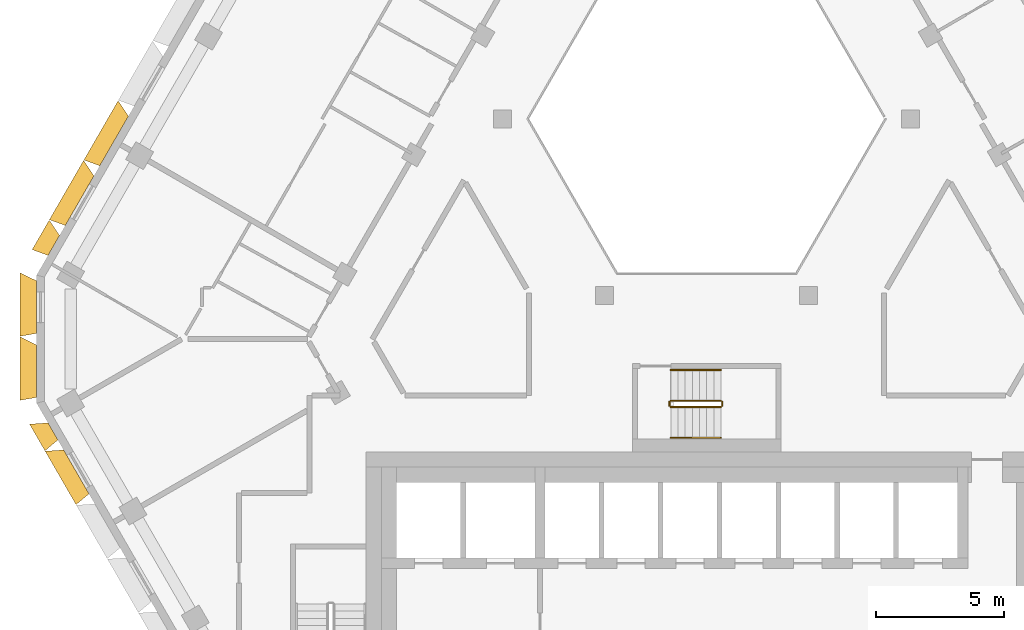
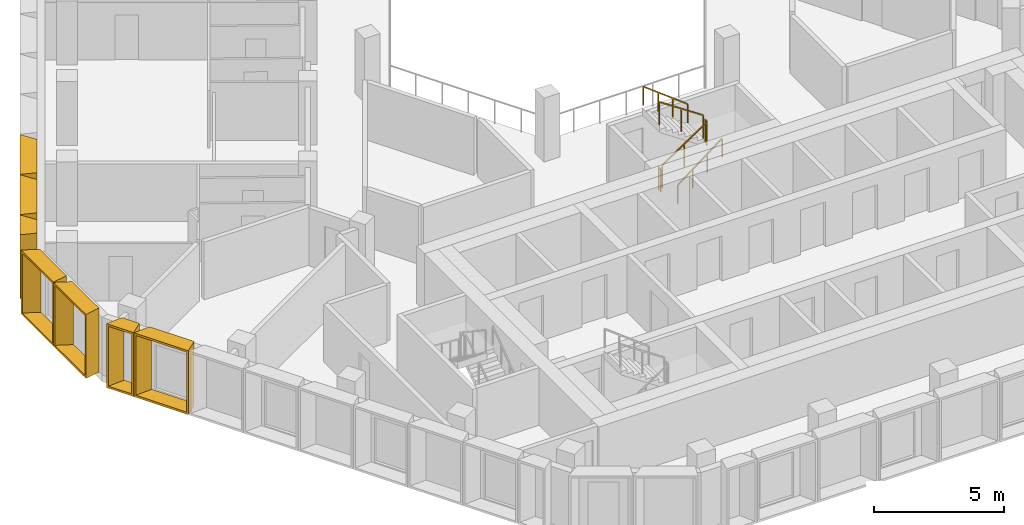
# One storey, part 12 of 15: 7 shading devices, 6 railings.
"""IFC4 building model written with IfcOpenShell, lengths in metres."""

import ifcopenshell
import ifcopenshell.guid

model = None  # the IFC model being written
_history = None  # IfcOwnerHistory: only IFC2X3 demands one
_inside = {}  # id of a spatial element -> (the spatial element, [elements in it])
_under = {}  # id of a project, library or spatial element -> (it, [spatial elements below it])
_declared = {}  # id of a project -> (the project, [libraries it declares])
_typed = {}  # id of a type object -> (the type object, [elements of that type])
_made_of = {}  # id of a material, layer set ... -> (it, [elements and type objects made of it])


def new_model(schema):
    """Start an empty IFC model of exactly this schema.

    Asked for "IFC4X3", IfcOpenShell would pick the latest addendum, in which some entities
    have other attributes; the version numbers below select the first issue.
    IFC2X3 requires an IfcOwnerHistory on every rooted entity: one is made here for all.
    """
    global model, _history
    if schema == "IFC4X3":
        model = ifcopenshell.file(schema_version=(4, 3, 0, 0))
    else:
        model = ifcopenshell.file(schema=schema)
    _inside.clear()
    _under.clear()
    _declared.clear()
    _typed.clear()
    _made_of.clear()
    _history = None
    if model.schema == "IFC2X3":
        org = make("IfcOrganization", Name="unknown")
        user = make(
            "IfcPersonAndOrganization",
            ThePerson=make("IfcPerson", FamilyName="unknown"),
            TheOrganization=org,
        )
        app = make(
            "IfcApplication",
            ApplicationDeveloper=org,
            Version="unknown",
            ApplicationFullName="unknown",
            ApplicationIdentifier="unknown",
        )
        _history = make(
            "IfcOwnerHistory",
            OwningUser=user,
            OwningApplication=app,
            ChangeAction="ADDED",
            CreationDate=0,
        )
    return model


def make(cls, **values):
    """One entity of the class cls with the attributes given. An attribute that is None is left unset."""
    return model.create_entity(
        cls, **{name: value for name, value in values.items() if value is not None}
    )


def entity(cls, *values):
    """Any entity or typed value of the class cls, its attributes in the order of the schema. None: left unset."""
    e = model.create_entity(cls)
    for i, value in enumerate(values):
        if value is not None:
            e[i] = value
    return e


def rooted(cls, **values):
    """An entity with a GlobalId (a new one), such as an element, a storey or a relation."""
    return make(cls, GlobalId=ifcopenshell.guid.new(), OwnerHistory=_history, **values)


def si_unit(unit_type, name, prefix=None):
    """IfcSIUnit, for example si_unit("LENGTHUNIT", "METRE", prefix="MILLI")."""
    return make("IfcSIUnit", UnitType=unit_type, Prefix=prefix, Name=name)


def assignment(units):
    """IfcUnitAssignment: the units of a project."""
    return None if units is None else make("IfcUnitAssignment", Units=units)


def point(xyz):
    """IfcCartesianPoint."""
    return None if xyz is None else make("IfcCartesianPoint", Coordinates=xyz)


def direction(xyz):
    """IfcDirection."""
    return None if xyz is None else make("IfcDirection", DirectionRatios=xyz)


def frame(location, z_axis=None, x_axis=None):
    """IfcAxis2Placement3D, a coordinate frame: its origin and axes. An axis left out is left unset."""
    return make(
        "IfcAxis2Placement3D",
        Location=point(location),
        Axis=direction(z_axis),
        RefDirection=direction(x_axis),
    )


def frame_2d(location, x_axis=None):
    """IfcAxis2Placement2D, a coordinate frame in the plane: its origin and x axis."""
    return make(
        "IfcAxis2Placement2D", Location=point(location), RefDirection=direction(x_axis)
    )


def origin():
    """The frame at (0, 0, 0) with its axes left unset."""
    return frame((0.0, 0.0, 0.0))


def origin_2d():
    """The frame at (0, 0) in the plane with its x axis left unset."""
    return frame_2d((0.0, 0.0))


def place(relative_to, where):
    """IfcLocalPlacement: puts the frame where relative to a parent placement (None: the world)."""
    return make(
        "IfcLocalPlacement", PlacementRelTo=relative_to, RelativePlacement=where
    )


def context(
    kind, dimensions, precision=None, world=None, true_north=None, identifier=None
):
    """IfcGeometricRepresentationContext, for example the 3D "Model" context."""
    return make(
        "IfcGeometricRepresentationContext",
        ContextIdentifier=identifier,
        ContextType=kind,
        CoordinateSpaceDimension=dimensions,
        Precision=precision,
        WorldCoordinateSystem=world,
        TrueNorth=true_north,
    )


def subcontext(parent, identifier, kind, view, scale=None):
    """IfcGeometricRepresentationSubContext, for example "Body" below "Model"."""
    return make(
        "IfcGeometricRepresentationSubContext",
        ContextIdentifier=identifier,
        ContextType=kind,
        ParentContext=parent,
        TargetScale=scale,
        TargetView=view,
    )


def project(units=None, contexts=None):
    """IfcProject with its units and contexts."""
    return rooted(
        "IfcProject",
        Name="project",
        RepresentationContexts=contexts,
        UnitsInContext=assignment(units),
    )


def spatial(cls, under=None, at=None, **own):
    """A site, building, storey or space (cls), placed at a placement, below another one or the project."""
    s = rooted(cls, ObjectPlacement=at, **own)
    if under is not None:
        _under.setdefault(under.id(), (under, []))[1].append(s)
    return s


def profile(cls, at=None, kind="AREA", **sizes):
    """A parametric profile (cls). Its sizes go by their IFC names, for example OverallWidth=200.0."""
    return make(cls, ProfileType=kind, Position=at, **sizes)


def rectangle(**sizes):
    """IfcRectangleProfileDef."""
    return profile("IfcRectangleProfileDef", **sizes)


def extrude(swept, where, along, depth):
    """IfcExtrudedAreaSolid: the profile swept, set in the frame where, extruded along a direction by depth."""
    return make(
        "IfcExtrudedAreaSolid",
        SweptArea=swept,
        Position=where,
        ExtrudedDirection=direction(along),
        Depth=depth,
    )


def shape(context_of_items, identifier, shape_type, items):
    """IfcShapeRepresentation: the items that make up one representation, for example the "Body"."""
    return make(
        "IfcShapeRepresentation",
        ContextOfItems=context_of_items,
        RepresentationIdentifier=identifier,
        RepresentationType=shape_type,
        Items=items,
    )


def source(mapping_origin, context_of_items, identifier, shape_type, items):
    """IfcRepresentationMap: a shape defined once, which mapped items show again and again."""
    return make(
        "IfcRepresentationMap",
        MappingOrigin=mapping_origin,
        MappedRepresentation=shape(context_of_items, identifier, shape_type, items),
    )


def transform(
    local_origin,
    x_axis=None,
    y_axis=None,
    z_axis=None,
    scale=None,
    scale2=None,
    scale3=None,
    uniform=True,
):
    """IfcCartesianTransformationOperator3D, or its non-uniform kind. x_axis, y_axis, z_axis: its Axis1, 2, 3."""
    if uniform:
        return make(
            "IfcCartesianTransformationOperator3D",
            Axis1=direction(x_axis),
            Axis2=direction(y_axis),
            LocalOrigin=point(local_origin),
            Scale=scale,
            Axis3=direction(z_axis),
        )
    return make(
        "IfcCartesianTransformationOperator3DnonUniform",
        Axis1=direction(x_axis),
        Axis2=direction(y_axis),
        LocalOrigin=point(local_origin),
        Scale=scale,
        Axis3=direction(z_axis),
        Scale2=scale2,
        Scale3=scale3,
    )


def mapped(mapping_source, mapping_target):
    """IfcMappedItem: shows the shape of a source again, moved by a transform."""
    return make(
        "IfcMappedItem", MappingSource=mapping_source, MappingTarget=mapping_target
    )


def material(Name=None, Category=None):
    """IfcMaterial."""
    return make("IfcMaterial", Name=Name, Category=Category)


def made_of(thing, what):
    """Note that an element or type object is made of a material, layer set ...; save() writes the relation."""
    if what is not None:
        _made_of.setdefault(what.id(), (what, []))[1].append(thing)
    return thing


def type_object(cls, material=None, **own):
    """A type object (cls), such as IfcWallType, which elements share."""
    return made_of(rooted(cls, **own), material)


def type_shapes(of_type, sources):
    """Give a type object the sources (RepresentationMaps) that its elements show as mapped items."""
    of_type.RepresentationMaps = sources


def element(
    cls,
    number,
    at=None,
    inside=None,
    cuts=None,
    type_object=None,
    material=None,
    context=None,
    identifier="Body",
    shape_type=None,
    held_by="IfcProductDefinitionShape",
    body=None,
    shapes=None,
    **own,
):
    """One element of the class cls, such as IfcWall. Its Tag is "e" and its number.

    at: its placement. inside: the storey or other place that contains it. cuts: it is an
    opening in that element (IfcRelVoidsElement). A single representation is given by context,
    identifier, shape_type and body (its items); several are given by shapes. held_by: the class
    of the entity that holds the representations. save() writes the other relations.
    """
    e = rooted(cls, Tag="e%d" % number, ObjectPlacement=at, **own)
    if body is not None:
        shapes = [shape(context, identifier, shape_type, body)]
    if shapes is not None:
        e.Representation = make(held_by, Representations=shapes)
    if inside is not None:
        _inside.setdefault(inside.id(), (inside, []))[1].append(e)
    if cuts is not None:
        rooted(
            "IfcRelVoidsElement", RelatingBuildingElement=cuts, RelatedOpeningElement=e
        )
    if type_object is not None:
        _typed.setdefault(type_object.id(), (type_object, []))[1].append(e)
    return made_of(e, material)


def aggregate(whole, parts):
    """IfcRelAggregates: a whole, such as a stair, and the parts it consists of."""
    return rooted("IfcRelAggregates", RelatingObject=whole, RelatedObjects=parts)


def save(model, path):
    """Write the relations noted so far, then the file.

    IfcRelAggregates (storeys below a building ...), IfcRelContainedInSpatialStructure (elements
    in a storey), IfcRelDefinesByType, IfcRelAssociatesMaterial and IfcRelDeclares: one each for
    every whole, place, type object, material and project.
    """
    for whole, parts in _under.values():
        aggregate(whole, parts)
    for where, things in _inside.values():
        rooted(
            "IfcRelContainedInSpatialStructure",
            RelatedElements=things,
            RelatingStructure=where,
        )
    for kind, things in _typed.values():
        rooted("IfcRelDefinesByType", RelatedObjects=things, RelatingType=kind)
    for what, things in _made_of.values():
        rooted("IfcRelAssociatesMaterial", RelatedObjects=things, RelatingMaterial=what)
    for by, libraries in _declared.values():
        rooted("IfcRelDeclares", RelatingContext=by, RelatedDefinitions=libraries)
    model.write(path)


model = new_model("IFC4")

# Units and contexts
model_context = context("Model", 3, precision=1e-05, world=origin(), true_north=direction((0.0, 1.0)))
body_context = subcontext(model_context, "Body", "Model", "MODEL_VIEW")
ifc_project = project(units=[si_unit("LENGTHUNIT", "METRE"), si_unit("AREAUNIT", "SQUARE_METRE"), si_unit("VOLUMEUNIT", "CUBIC_METRE"), si_unit("PLANEANGLEUNIT", "RADIAN"), si_unit("MASSUNIT", "GRAM", prefix="KILO")], contexts=[model_context])

# Site, building, storey
site_placement = place(None, origin())
site = spatial("IfcSite", under=ifc_project, at=site_placement, CompositionType="ELEMENT")
building_placement = place(site_placement, origin())
building = spatial("IfcBuilding", under=site, at=building_placement, Name="Beryl Residences", CompositionType="ELEMENT")
storey_placement = place(building_placement, frame((0.0, 0.0, 187.199951171875)))
storey = spatial("IfcBuildingStorey", under=building, at=storey_placement, Name="L57", CompositionType="ELEMENT", Elevation=187.199951171875)

# Shading devices
ifc_material_1 = material(Name="Aluminium pale anodised", Category="aluminium")
shading_device_type_1 = type_object("IfcShadingDeviceType", Name="FR122-65B OUTER SKIN frame 650 mm deep, splay 26/10 deg, 1220 x 3000 mm cell", PredefinedType="USERDEFINED", material=ifc_material_1)
cartesian_point_1 = entity("IfcCartesianPoint", [-0.384033203125, 0.0])
cartesian_point_2 = entity("IfcCartesianPoint", [-0.294921875, 0.10009765625])
cartesian_point_3 = entity("IfcCartesianPoint", [-0.700927734375, 0.0])
cartesian_point_4 = entity("IfcCartesianPoint", [-0.612060546875, 0.10009765625])
shared_shape_1 = source(origin(), body_context, "Body", "SweptSolid", [
    entity("IfcExtrudedAreaSolidTapered", entity("IfcArbitraryProfileDefWithVoids", "AREA", None, entity("IfcPolyline", [cartesian_point_1, entity("IfcCartesianPoint", [0.384033203125, 0.0]), entity("IfcCartesianPoint", [0.384033203125, 3.0]), entity("IfcCartesianPoint", [-0.384033203125, 3.0]), cartesian_point_1]), [entity("IfcPolyline", [cartesian_point_2, entity("IfcCartesianPoint", [0.302734375, 0.10009765625]), entity("IfcCartesianPoint", [0.302734375, 2.89990234375]), entity("IfcCartesianPoint", [-0.294921875, 2.89990234375]), cartesian_point_2])]), entity("IfcAxis2Placement3D", entity("IfcCartesianPoint", [0.0, 0.0, 0.0]), entity("IfcDirection", [0.0, 1.0, 0.0]), entity("IfcDirection", [-1.0, 0.0, 0.0])), entity("IfcDirection", [0.0, 0.0, 1.0]), 0.64990234375, entity("IfcArbitraryProfileDefWithVoids", "AREA", None, entity("IfcPolyline", [cartesian_point_3, entity("IfcCartesianPoint", [0.49853515625, 0.0]), entity("IfcCartesianPoint", [0.49853515625, 3.0]), entity("IfcCartesianPoint", [-0.700927734375, 3.0]), cartesian_point_3]), [entity("IfcPolyline", [cartesian_point_4, entity("IfcCartesianPoint", [0.41748046875, 0.10009765625]), entity("IfcCartesianPoint", [0.41748046875, 2.89990234375]), entity("IfcCartesianPoint", [-0.612060546875, 2.89990234375]), cartesian_point_4])])),
])
type_shapes(shading_device_type_1, [shared_shape_1])
shading_device_1_placement = place(storey_placement, frame((-25.51708984375, -4.200927734375, 0.0), z_axis=(0.0, 0.0, 1.0), x_axis=(-0.5, 0.866025403784, 0.0)))
element("IfcShadingDevice", 1, at=shading_device_1_placement, inside=storey, type_object=shading_device_type_1, Name="FR122-65B frame L57 SW 1", ObjectType="OUTER SKIN", PredefinedType="USERDEFINED", context=body_context, shape_type="MappedRepresentation", body=[
    mapped(shared_shape_1, transform((0.0, 0.0, 0.0))),
])
ifc_material_2 = material(Name="Aluminium pale anodised", Category="aluminium")
shading_device_type_2 = type_object("IfcShadingDeviceType", Name="FR135-65B OUTER SKIN frame 650 mm deep, splay 26/10 deg, 1350 x 3000 mm cell", PredefinedType="USERDEFINED", material=ifc_material_2)
cartesian_point_5 = entity("IfcCartesianPoint", [-0.448974609375, 0.0])
cartesian_point_6 = entity("IfcCartesianPoint", [-0.360107421875, 0.10009765625])
cartesian_point_7 = entity("IfcCartesianPoint", [-0.76611328125, 0.0])
cartesian_point_8 = entity("IfcCartesianPoint", [-0.677001953125, 0.10009765625])
shared_shape_2 = source(origin(), body_context, "Body", "SweptSolid", [
    entity("IfcExtrudedAreaSolidTapered", entity("IfcArbitraryProfileDefWithVoids", "AREA", None, entity("IfcPolyline", [cartesian_point_5, entity("IfcCartesianPoint", [0.448974609375, 0.0]), entity("IfcCartesianPoint", [0.448974609375, 3.0]), entity("IfcCartesianPoint", [-0.448974609375, 3.0]), cartesian_point_5]), [entity("IfcPolyline", [cartesian_point_6, entity("IfcCartesianPoint", [0.36767578125, 0.10009765625]), entity("IfcCartesianPoint", [0.36767578125, 2.89990234375]), entity("IfcCartesianPoint", [-0.360107421875, 2.89990234375]), cartesian_point_6])]), entity("IfcAxis2Placement3D", entity("IfcCartesianPoint", [0.0, 0.0, 0.0]), entity("IfcDirection", [0.0, 1.0, 0.0]), entity("IfcDirection", [-1.0, 0.0, 0.0])), entity("IfcDirection", [0.0, 0.0, 1.0]), 0.64990234375, entity("IfcArbitraryProfileDefWithVoids", "AREA", None, entity("IfcPolyline", [cartesian_point_7, entity("IfcCartesianPoint", [0.563720703125, 0.0]), entity("IfcCartesianPoint", [0.563720703125, 3.0]), entity("IfcCartesianPoint", [-0.76611328125, 3.0]), cartesian_point_7]), [entity("IfcPolyline", [cartesian_point_8, entity("IfcCartesianPoint", [0.482421875, 0.10009765625]), entity("IfcCartesianPoint", [0.482421875, 2.89990234375]), entity("IfcCartesianPoint", [-0.677001953125, 2.89990234375]), cartesian_point_8])])),
])
type_shapes(shading_device_type_2, [shared_shape_2])
shading_device_2_placement = place(storey_placement, frame((-25.485107421875, 3.056884765625, 0.0), z_axis=(0.0, 0.0, 1.0), x_axis=(0.5, 0.866025403784, 0.0)))
element("IfcShadingDevice", 2, at=shading_device_2_placement, inside=storey, type_object=shading_device_type_2, Name="FR135-65B frame L57 NW 9", ObjectType="OUTER SKIN", PredefinedType="USERDEFINED", context=body_context, shape_type="MappedRepresentation", body=[
    mapped(shared_shape_2, transform((0.0, 0.0, 0.0))),
])
ifc_material_3 = material(Name="Aluminium pale anodised", Category="aluminium")
shading_device_type_3 = type_object("IfcShadingDeviceType", Name="FR243-65B OUTER SKIN frame 650 mm deep, splay 26/10 deg, 2430 x 3000 mm cell", PredefinedType="USERDEFINED", material=ifc_material_3)
cartesian_point_9 = entity("IfcCartesianPoint", [-0.989013671875, 0.0])
cartesian_point_10 = entity("IfcCartesianPoint", [-0.89990234375, 0.10009765625])
cartesian_point_11 = entity("IfcCartesianPoint", [-1.305908203125, 0.0])
cartesian_point_12 = entity("IfcCartesianPoint", [-1.217041015625, 0.10009765625])
shared_shape_3 = source(origin(), body_context, "Body", "SweptSolid", [
    entity("IfcExtrudedAreaSolidTapered", entity("IfcArbitraryProfileDefWithVoids", "AREA", None, entity("IfcPolyline", [cartesian_point_9, entity("IfcCartesianPoint", [0.989013671875, 0.0]), entity("IfcCartesianPoint", [0.989013671875, 3.0]), entity("IfcCartesianPoint", [-0.989013671875, 3.0]), cartesian_point_9]), [entity("IfcPolyline", [cartesian_point_10, entity("IfcCartesianPoint", [0.90771484375, 0.10009765625]), entity("IfcCartesianPoint", [0.90771484375, 2.89990234375]), entity("IfcCartesianPoint", [-0.89990234375, 2.89990234375]), cartesian_point_10])]), entity("IfcAxis2Placement3D", entity("IfcCartesianPoint", [0.0, 0.0, 0.0]), entity("IfcDirection", [0.0, 1.0, 0.0]), entity("IfcDirection", [-1.0, 0.0, 0.0])), entity("IfcDirection", [0.0, 0.0, 1.0]), 0.64990234375, entity("IfcArbitraryProfileDefWithVoids", "AREA", None, entity("IfcPolyline", [cartesian_point_11, entity("IfcCartesianPoint", [1.103515625, 0.0]), entity("IfcCartesianPoint", [1.103515625, 3.0]), entity("IfcCartesianPoint", [-1.305908203125, 3.0]), cartesian_point_11]), [entity("IfcPolyline", [cartesian_point_12, entity("IfcCartesianPoint", [1.0224609375, 0.10009765625]), entity("IfcCartesianPoint", [1.0224609375, 2.89990234375]), entity("IfcCartesianPoint", [-1.217041015625, 2.89990234375]), cartesian_point_12])])),
])
type_shapes(shading_device_type_3, [shared_shape_3])
shading_device_3_placement = place(storey_placement, frame((-24.60498046875, -5.781005859375, 0.0), z_axis=(0.0, 0.0, 1.0), x_axis=(-0.5, 0.866025403784, 0.0)))
element("IfcShadingDevice", 3, at=shading_device_3_placement, inside=storey, type_object=shading_device_type_3, Name="FR243-65B frame L57 SW 2", ObjectType="OUTER SKIN", PredefinedType="USERDEFINED", context=body_context, shape_type="MappedRepresentation", body=[
    mapped(shared_shape_3, transform((0.0, 0.0, 0.0))),
])
ifc_material_4 = material(Name="Aluminium pale anodised", Category="aluminium")
shading_device_type_4 = type_object("IfcShadingDeviceType", Name="FR250-65B OUTER SKIN frame 650 mm deep, splay 26/10 deg, 2500 x 3000 mm cell", PredefinedType="USERDEFINED", material=ifc_material_4)
cartesian_point_13 = entity("IfcCartesianPoint", [-1.02392578125, 0.0])
cartesian_point_14 = entity("IfcCartesianPoint", [-0.93505859375, 0.10009765625])
cartesian_point_15 = entity("IfcCartesianPoint", [-1.341064453125, 0.0])
cartesian_point_16 = entity("IfcCartesianPoint", [-1.251953125, 0.10009765625])
shared_shape_4 = source(origin(), body_context, "Body", "SweptSolid", [
    entity("IfcExtrudedAreaSolidTapered", entity("IfcArbitraryProfileDefWithVoids", "AREA", None, entity("IfcPolyline", [cartesian_point_13, entity("IfcCartesianPoint", [1.02392578125, 0.0]), entity("IfcCartesianPoint", [1.02392578125, 3.0]), entity("IfcCartesianPoint", [-1.02392578125, 3.0]), cartesian_point_13]), [entity("IfcPolyline", [cartesian_point_14, entity("IfcCartesianPoint", [0.94287109375, 0.10009765625]), entity("IfcCartesianPoint", [0.94287109375, 2.89990234375]), entity("IfcCartesianPoint", [-0.93505859375, 2.89990234375]), cartesian_point_14])]), entity("IfcAxis2Placement3D", entity("IfcCartesianPoint", [0.0, 0.0, 0.0]), entity("IfcDirection", [0.0, 1.0, 0.0]), entity("IfcDirection", [-1.0, 0.0, 0.0])), entity("IfcDirection", [0.0, 0.0, 1.0]), 0.64990234375, entity("IfcArbitraryProfileDefWithVoids", "AREA", None, entity("IfcPolyline", [cartesian_point_15, entity("IfcCartesianPoint", [1.138671875, 0.0]), entity("IfcCartesianPoint", [1.138671875, 3.0]), entity("IfcCartesianPoint", [-1.341064453125, 3.0]), cartesian_point_15]), [entity("IfcPolyline", [cartesian_point_16, entity("IfcCartesianPoint", [1.057373046875, 0.10009765625]), entity("IfcCartesianPoint", [1.057373046875, 2.89990234375]), entity("IfcCartesianPoint", [-1.251953125, 2.89990234375]), cartesian_point_16])])),
])
type_shapes(shading_device_type_4, [shared_shape_4])
for number, where, z_axis, x_axis, name in (
    (4, (-26.154052734375, 0.64990234375, 0.0), (0.0, 0.0, 1.0), (0.0, 1.0, 0.0), "FR250-65B frame L57 NW-SW 1"),
    (5, (-26.154052734375, -1.85009765625, 0.0), (0.0, 0.0, 1.0), (0.0, 1.0, 0.0), "FR250-65B frame L57 NW-SW 2"),
):
    element("IfcShadingDevice", number, at=place(storey_placement, frame(where, z_axis=z_axis, x_axis=x_axis)), inside=storey, type_object=shading_device_type_4, Name=name, ObjectType="OUTER SKIN", PredefinedType="USERDEFINED", context=body_context, shape_type="MappedRepresentation", body=[
        mapped(shared_shape_4, transform((0.0, 0.0, 0.0))),
    ])
ifc_material_5 = material(Name="Aluminium pale anodised", Category="aluminium")
shading_device_type_5 = type_object("IfcShadingDeviceType", Name="FR269-65B OUTER SKIN frame 650 mm deep, splay 26/10 deg, 2690 x 3000 mm cell", PredefinedType="USERDEFINED", material=ifc_material_5)
cartesian_point_17 = entity("IfcCartesianPoint", [-1.118896484375, 0.0])
cartesian_point_18 = entity("IfcCartesianPoint", [-1.030029296875, 0.10009765625])
cartesian_point_19 = entity("IfcCartesianPoint", [-1.43603515625, 0.0])
cartesian_point_20 = entity("IfcCartesianPoint", [-1.346923828125, 0.10009765625])
shared_shape_5 = source(origin(), body_context, "Body", "SweptSolid", [
    entity("IfcExtrudedAreaSolidTapered", entity("IfcArbitraryProfileDefWithVoids", "AREA", None, entity("IfcPolyline", [cartesian_point_17, entity("IfcCartesianPoint", [1.118896484375, 0.0]), entity("IfcCartesianPoint", [1.118896484375, 3.0]), entity("IfcCartesianPoint", [-1.118896484375, 3.0]), cartesian_point_17]), [entity("IfcPolyline", [cartesian_point_18, entity("IfcCartesianPoint", [1.037841796875, 0.10009765625]), entity("IfcCartesianPoint", [1.037841796875, 2.89990234375]), entity("IfcCartesianPoint", [-1.030029296875, 2.89990234375]), cartesian_point_18])]), entity("IfcAxis2Placement3D", entity("IfcCartesianPoint", [0.0, 0.0, 0.0]), entity("IfcDirection", [0.0, 1.0, 0.0]), entity("IfcDirection", [-1.0, 0.0, 0.0])), entity("IfcDirection", [0.0, 0.0, 1.0]), 0.64990234375, entity("IfcArbitraryProfileDefWithVoids", "AREA", None, entity("IfcPolyline", [cartesian_point_19, entity("IfcCartesianPoint", [1.233642578125, 0.0]), entity("IfcCartesianPoint", [1.233642578125, 3.0]), entity("IfcCartesianPoint", [-1.43603515625, 3.0]), cartesian_point_19]), [entity("IfcPolyline", [cartesian_point_20, entity("IfcCartesianPoint", [1.15234375, 0.10009765625]), entity("IfcCartesianPoint", [1.15234375, 2.89990234375]), entity("IfcCartesianPoint", [-1.346923828125, 2.89990234375]), cartesian_point_20])])),
])
type_shapes(shading_device_type_5, [shared_shape_5])
for number, where, z_axis, x_axis, name in (
    (6, (-23.1298828125, 7.136962890625, 0.0), (0.0, 0.0, 1.0), (0.5, 0.866025403784, 0.0), "FR269-65B frame L57 NW 7"),
    (7, (-24.47607421875, 4.805908203125, 0.0), (0.0, 0.0, 1.0), (0.5, 0.866025403784, 0.0), "FR269-65B frame L57 NW 8"),
):
    element("IfcShadingDevice", number, at=place(storey_placement, frame(where, z_axis=z_axis, x_axis=x_axis)), inside=storey, type_object=shading_device_type_5, Name=name, ObjectType="OUTER SKIN", PredefinedType="USERDEFINED", context=body_context, shape_type="MappedRepresentation", body=[
        mapped(shared_shape_5, transform((0.0, 0.0, 0.0))),
    ])

# Railings
ifc_material_6 = material(Name="Stainless steel balustrade with glass infill", Category="steel")
railing_type_1 = type_object("IfcRailingType", Name="SG1 stair guard 1100 mm", PredefinedType="GUARDRAIL", material=ifc_material_6)
railing_1_placement = place(storey_placement, frame((-1.39990234375, -3.25, 0.1875)))
element("IfcRailing", 8, at=railing_1_placement, inside=storey, type_object=railing_type_1, Name="L57 ST-4 stair guard 1", PredefinedType="GUARDRAIL", context=body_context, shape_type="SweptSolid", body=[
    extrude(rectangle(XDim=0.048095703125, YDim=0.048095703125, at=origin_2d()), frame((0.0, 0.0, 1.076171875), z_axis=(0.830902050051, 0.0, 0.556418712142), x_axis=(0.0, 1.0, 0.0)), (0.0, 0.0, 1.0), 2.35888671875),
    extrude(rectangle(XDim=0.0419921875, YDim=0.0419921875, at=origin_2d()), origin(), (0.0, 0.0, 1.0), 1.052001953125),
    extrude(rectangle(XDim=0.0419921875, YDim=0.0419921875, at=origin_2d()), frame((0.97998046875, 0.0, 0.65625)), (0.0, 0.0, 1.0), 1.052001953125),
    extrude(rectangle(XDim=0.0419921875, YDim=0.0419921875, at=origin_2d()), frame((1.9599609375, 0.0, 1.3125)), (0.0, 0.0, 1.0), 1.052001953125),
])
railing_2_placement = place(storey_placement, frame((0.610107421875, -3.199951171875, 1.5)))
element("IfcRailing", 9, at=railing_2_placement, inside=storey, type_object=railing_type_1, Name="L57 ST-4 stair guard 2", PredefinedType="GUARDRAIL", context=body_context, shape_type="SweptSolid", body=[
    extrude(rectangle(XDim=0.048095703125, YDim=0.048095703125, at=origin_2d()), frame((0.0, 0.0, 1.076171875), z_axis=(0.0, 1.0, 0.0), x_axis=(-1.0, 0.0, 0.0)), (0.0, 0.0, 1.0), 0.14990234375),
    extrude(rectangle(XDim=0.0419921875, YDim=0.0419921875, at=origin_2d()), origin(), (0.0, 0.0, 1.0), 1.052001953125),
    extrude(rectangle(XDim=0.0419921875, YDim=0.0419921875, at=origin_2d()), frame((0.0, 0.14990234375, 0.0)), (0.0, 0.0, 1.0), 1.052001953125),
])
railing_3_placement = place(storey_placement, frame((0.56005859375, -3.0, 1.6875)))
element("IfcRailing", 10, at=railing_3_placement, inside=storey, type_object=railing_type_1, Name="L57 ST-4 stair guard 3", PredefinedType="GUARDRAIL", context=body_context, shape_type="SweptSolid", body=[
    extrude(rectangle(XDim=0.048095703125, YDim=0.048095703125, at=origin_2d()), frame((0.0, 0.0, 1.076171875), z_axis=(-0.830902050051, 0.0, 0.556418712142), x_axis=(0.0, -1.0, 0.0)), (0.0, 0.0, 1.0), 2.35888671875),
    extrude(rectangle(XDim=0.0419921875, YDim=0.0419921875, at=origin_2d()), origin(), (0.0, 0.0, 1.0), 1.052001953125),
    extrude(rectangle(XDim=0.0419921875, YDim=0.0419921875, at=origin_2d()), frame((-0.97998046875, 0.0, 0.65625)), (0.0, 0.0, 1.0), 1.052001953125),
    extrude(rectangle(XDim=0.0419921875, YDim=0.0419921875, at=origin_2d()), frame((-1.9599609375, 0.0, 1.3125)), (0.0, 0.0, 1.0), 1.052001953125),
])
railing_4_placement = place(storey_placement, frame((-1.449951171875, -3.199951171875, 0.0)))
element("IfcRailing", 11, at=railing_4_placement, inside=storey, type_object=railing_type_1, Name="L57 ST-4 stair guard 4", PredefinedType="GUARDRAIL", context=body_context, shape_type="SweptSolid", body=[
    extrude(rectangle(XDim=0.048095703125, YDim=0.048095703125, at=origin_2d()), frame((0.0, 0.0, 1.076171875), z_axis=(0.0, 1.0, 0.0), x_axis=(-1.0, 0.0, 0.0)), (0.0, 0.0, 1.0), 0.14990234375),
    extrude(rectangle(XDim=0.0419921875, YDim=0.0419921875, at=origin_2d()), origin(), (0.0, 0.0, 1.0), 1.052001953125),
    extrude(rectangle(XDim=0.0419921875, YDim=0.0419921875, at=origin_2d()), frame((0.0, 0.14990234375, 0.0)), (0.0, 0.0, 1.0), 1.052001953125),
])
ifc_material_7 = material(Name="Stainless steel handrail", Category="steel")
railing_type_2 = type_object("IfcRailingType", Name="SRL1 stair handrail 900 mm", PredefinedType="HANDRAIL", material=ifc_material_7)
railing_5_placement = place(storey_placement, frame((-1.39990234375, -4.449951171875, 0.1875)))
element("IfcRailing", 12, at=railing_5_placement, inside=storey, type_object=railing_type_2, Name="L57 ST-4 stair handrail 1", PredefinedType="HANDRAIL", context=body_context, shape_type="SweptSolid", body=[
    extrude(rectangle(XDim=0.048095703125, YDim=0.048095703125, at=origin_2d()), frame((0.0, 0.0, 0.8759765625), z_axis=(0.794121922505, 0.0, 0.607758481798), x_axis=(0.0, 1.0, 0.0)), (0.0, 0.0, 1.0), 2.468017578125),
    extrude(rectangle(XDim=0.0419921875, YDim=0.0419921875, at=origin_2d()), origin(), (0.0, 0.0, 1.0), 0.851806640625),
    extrude(rectangle(XDim=0.0419921875, YDim=0.0419921875, at=origin_2d()), frame((0.6533203125, 0.0, 0.5)), (0.0, 0.0, 1.0), 0.851806640625),
    extrude(rectangle(XDim=0.0419921875, YDim=0.0419921875, at=origin_2d()), frame((1.306640625, 0.0, 1.0)), (0.0, 0.0, 1.0), 0.851806640625),
    extrude(rectangle(XDim=0.0419921875, YDim=0.0419921875, at=origin_2d()), frame((1.9599609375, 0.0, 1.5)), (0.0, 0.0, 1.0), 0.851806640625),
])
railing_6_placement = place(storey_placement, frame((0.56005859375, -1.800048828125, 1.6875)))
element("IfcRailing", 13, at=railing_6_placement, inside=storey, type_object=railing_type_2, Name="L57 ST-4 stair handrail 2", PredefinedType="HANDRAIL", context=body_context, shape_type="SweptSolid", body=[
    extrude(rectangle(XDim=0.048095703125, YDim=0.048095703125, at=origin_2d()), frame((0.0, 0.0, 0.8759765625), z_axis=(-0.794121922505, 0.0, 0.607758481798), x_axis=(0.0, -1.0, 0.0)), (0.0, 0.0, 1.0), 2.468017578125),
    extrude(rectangle(XDim=0.0419921875, YDim=0.0419921875, at=origin_2d()), origin(), (0.0, 0.0, 1.0), 0.851806640625),
    extrude(rectangle(XDim=0.0419921875, YDim=0.0419921875, at=origin_2d()), frame((-0.6533203125, 0.0, 0.5)), (0.0, 0.0, 1.0), 0.851806640625),
    extrude(rectangle(XDim=0.0419921875, YDim=0.0419921875, at=origin_2d()), frame((-1.306640625, 0.0, 1.0)), (0.0, 0.0, 1.0), 0.851806640625),
    extrude(rectangle(XDim=0.0419921875, YDim=0.0419921875, at=origin_2d()), frame((-1.9599609375, 0.0, 1.5)), (0.0, 0.0, 1.0), 0.851806640625),
])

save(model, "model.ifc")
